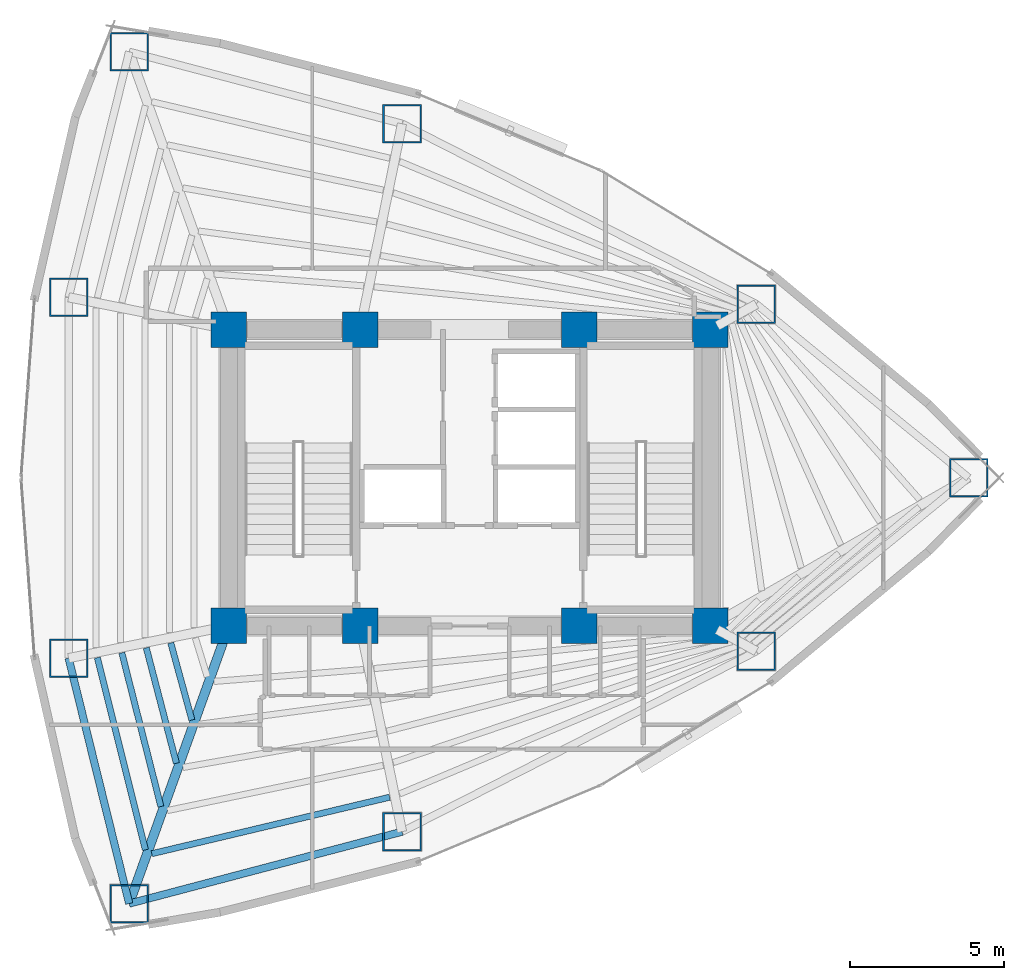
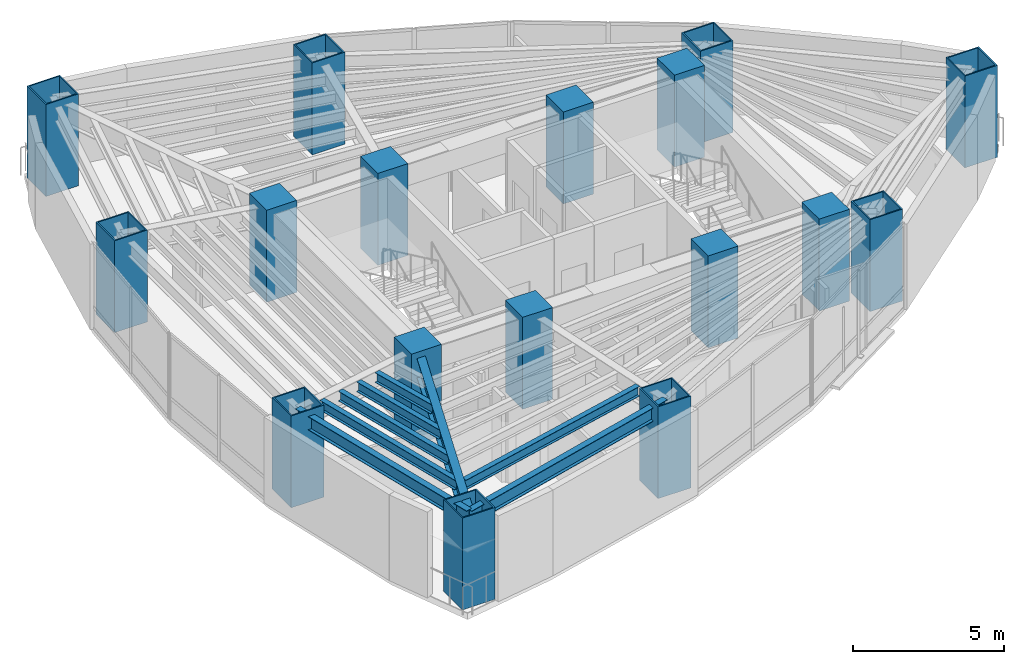
# One storey, part 1 of 18: 17 columns, 8 beams.
"""IFC4 building model written with IfcOpenShell, lengths in metres."""

from ifc_helpers import new_model, si_unit, direction, frame, origin, origin_2d, place, context, subcontext, project, spatial, rectangle, hollow_rectangle, i_section, extrude, material, material_profile, profile_set, type_object, element, save


model = new_model("IFC4")

# Units and contexts
model_context = context("Model", 3, precision=1e-05, world=origin(), true_north=direction((0.0, 1.0)))
body_context = subcontext(model_context, "Body", "Model", "MODEL_VIEW")
ifc_project = project(units=[si_unit("LENGTHUNIT", "METRE"), si_unit("AREAUNIT", "SQUARE_METRE"), si_unit("VOLUMEUNIT", "CUBIC_METRE"), si_unit("PLANEANGLEUNIT", "RADIAN"), si_unit("MASSUNIT", "GRAM", prefix="KILO")], contexts=[model_context])

# Site, building, storey
site_placement = place(None, origin())
site = spatial("IfcSite", under=ifc_project, at=site_placement, CompositionType="ELEMENT")
building_placement = place(site_placement, origin())
building = spatial("IfcBuilding", under=site, at=building_placement, Name="Menara Vayukalpa", CompositionType="ELEMENT")
storey_placement = place(building_placement, frame((0.0, 0.0, 130.02001953125)))
storey = spatial("IfcBuildingStorey", under=building, at=storey_placement, Name="L32", CompositionType="ELEMENT", Elevation=130.02001953125)

# Columns
ifc_material_1 = material(Name="Concrete C80/95", Category="concrete")
ifc_material_profile_1 = material_profile(ifc_material_1, rectangle(XDim=1.14990234375, YDim=1.14990234375, at=origin_2d()), Name="RC 1150x1150")
ifc_profile_set_1 = profile_set([ifc_material_profile_1], Name="Concrete C80/95")
column_type_1 = type_object("IfcColumnType", Name="COL-CC1", PredefinedType="COLUMN", material=ifc_profile_set_1)
for number, where, z_axis, x_axis, name in (
    (1, (17.800048828125, 17.199951171875, 0.0), (0.0, 0.0, 1.0), (1.0, 0.0, 0.0), "L32 Core Pilaster Column CC1"),
    (2, (22.050048828125, 17.199951171875, 0.0), (0.0, 0.0, 1.0), (1.0, 0.0, 0.0), "L32 Core Pilaster Column CC2"),
    (3, (29.14990234375, 17.199951171875, 0.0), (0.0, 0.0, 1.0), (1.0, 0.0, 0.0), "L32 Core Pilaster Column CC3"),
    (4, (33.39990234375, 17.199951171875, 0.0), (0.0, 0.0, 1.0), (1.0, 0.0, 0.0), "L32 Core Pilaster Column CC4"),
    (5, (17.800048828125, 26.800048828125, 0.0), (0.0, 0.0, 1.0), (1.0, 0.0, 0.0), "L32 Core Pilaster Column CC5"),
    (6, (22.050048828125, 26.800048828125, 0.0), (0.0, 0.0, 1.0), (1.0, 0.0, 0.0), "L32 Core Pilaster Column CC6"),
    (7, (29.14990234375, 26.800048828125, 0.0), (0.0, 0.0, 1.0), (1.0, 0.0, 0.0), "L32 Core Pilaster Column CC7"),
    (8, (33.39990234375, 26.800048828125, 0.0), (0.0, 0.0, 1.0), (1.0, 0.0, 0.0), "L32 Core Pilaster Column CC8"),
):
    element("IfcColumn", number, at=place(storey_placement, frame(where, z_axis=z_axis, x_axis=x_axis)), inside=storey, type_object=column_type_1, Name=name, PredefinedType="COLUMN", context=body_context, shape_type="SweptSolid", body=[
        extrude(rectangle(XDim=1.14990234375, YDim=1.14990234375, at=origin_2d()), origin(), (0.0, 0.0, 1.0), 3.719970703125),
    ])
ifc_material_2 = material(Name="Steel S460", Category="steel")
ifc_material_profile_2 = material_profile(ifc_material_2, hollow_rectangle(XDim=1.25, YDim=1.25, WallThickness=0.050048828125, at=origin_2d()), Name="BOX 1250x1250x50")
ifc_profile_set_2 = profile_set([ifc_material_profile_2], Name="Steel S460")
column_type_2 = type_object("IfcColumnType", Name="COL-MC2", PredefinedType="COLUMN", material=ifc_profile_set_2)
for number, where, z_axis, x_axis, name in (
    (9, (41.761962890625, 22.0, 0.0), (0.0, 0.0, 1.0), (1.0, 0.0, 0.0), "L32 Perimeter Mega Column P01"),
    (10, (34.88671875, 27.62158203125, 0.0), (0.0, 0.0, 1.0), (1.0, 0.0, 0.0), "L32 Perimeter Mega Column P02"),
    (11, (23.408203125, 33.46728515625, 0.0), (0.0, 0.0, 1.0), (1.0, 0.0, 0.0), "L32 Perimeter Mega Column P03"),
    (12, (14.569091796875, 35.79736328125, 0.0), (0.0, 0.0, 1.0), (1.0, 0.0, 0.0), "L32 Perimeter Mega Column P04"),
    (13, (12.606689453125, 27.845703125, 0.0), (0.0, 0.0, 1.0), (1.0, 0.0, 0.0), "L32 Perimeter Mega Column P05"),
    (14, (12.606689453125, 16.154296875, 0.0), (0.0, 0.0, 1.0), (1.0, 0.0, 0.0), "L32 Perimeter Mega Column P06"),
    (15, (14.569091796875, 8.20263671875, 0.0), (0.0, 0.0, 1.0), (1.0, 0.0, 0.0), "L32 Perimeter Mega Column P07"),
    (16, (23.408203125, 10.53271484375, 0.0), (0.0, 0.0, 1.0), (1.0, 0.0, 0.0), "L32 Perimeter Mega Column P08"),
    (17, (34.88671875, 16.37841796875, 0.0), (0.0, 0.0, 1.0), (1.0, 0.0, 0.0), "L32 Perimeter Mega Column P09"),
):
    element("IfcColumn", number, at=place(storey_placement, frame(where, z_axis=z_axis, x_axis=x_axis)), inside=storey, type_object=column_type_2, Name=name, PredefinedType="COLUMN", context=body_context, shape_type="SweptSolid", body=[
        extrude(hollow_rectangle(XDim=1.25, YDim=1.25, WallThickness=0.050048828125, at=origin_2d()), origin(), (0.0, 0.0, 1.0), 3.719970703125),
    ])

# Beams
ifc_material_3 = material(Name="Steel S355", Category="steel")
ifc_material_profile_3 = material_profile(ifc_material_3, i_section(OverallWidth=0.300048828125, OverallDepth=0.800048828125, WebThickness=0.013916015625, FlangeThickness=0.02587890625, at=origin_2d()), Name="WF 800x300x14x26")
ifc_profile_set_3 = profile_set([ifc_material_profile_3], Name="Steel S355")
beam_type_1 = type_object("IfcBeamType", Name="BM-PG3", PredefinedType="BEAM", material=ifc_profile_set_3)
beam_1_placement = place(storey_placement, frame((17.715576171875, 16.964599609375, 3.070068359375), z_axis=(-0.337975542909, -0.941154892882, 0.0), x_axis=(0.941154892882, -0.337975542909, 0.0)))
element("IfcBeam", 18, at=beam_1_placement, inside=storey, type_object=beam_type_1, Name="L32 Primary Radial Girder RG07", PredefinedType="BEAM", context=body_context, shape_type="SweptSolid", body=[
    extrude(i_section(OverallWidth=0.300048828125, OverallDepth=0.800048828125, WebThickness=0.013916015625, FlangeThickness=0.02587890625, at=origin_2d()), origin(), (0.0, 0.0, 1.0), 9.309814453125),
])
ifc_material_4 = material(Name="Steel S355", Category="steel")
ifc_material_profile_4 = material_profile(ifc_material_4, i_section(OverallWidth=0.199951171875, OverallDepth=0.39990234375, WebThickness=0.008056640625, FlangeThickness=0.012939453125, at=origin_2d()), Name="WF 400x200x8x13")
ifc_profile_set_4 = profile_set([ifc_material_profile_4], Name="Steel S355")
beam_type_2 = type_object("IfcBeamType", Name="BM-SJ2", PredefinedType="JOIST", material=ifc_profile_set_4)
beam_2_placement = place(storey_placement, frame((15.917236328125, 16.64794921875, 3.27001953125), z_axis=(0.263922858843, -0.964543790908, 0.0), x_axis=(0.964543790908, 0.263922858843, 0.0)))
element("IfcBeam", 19, at=beam_2_placement, inside=storey, type_object=beam_type_2, Name="L32 Secondary Floor Joist SJ06-2", PredefinedType="JOIST", context=body_context, shape_type="SweptSolid", body=[
    extrude(i_section(OverallWidth=0.199951171875, OverallDepth=0.39990234375, WebThickness=0.008056640625, FlangeThickness=0.012939453125, at=origin_2d()), origin(), (0.0, 0.0, 1.0), 2.590087890625),
])
beam_3_placement = place(storey_placement, frame((15.123779296875, 16.488037109375, 3.27001953125), z_axis=(0.252406469257, -0.967621296933, 0.0), x_axis=(0.967621296933, 0.252406469257, 0.0)))
element("IfcBeam", 20, at=beam_3_placement, inside=storey, type_object=beam_type_2, Name="L32 Secondary Floor Joist SJ06-3", PredefinedType="JOIST", context=body_context, shape_type="SweptSolid", body=[
    extrude(i_section(OverallWidth=0.199951171875, OverallDepth=0.39990234375, WebThickness=0.008056640625, FlangeThickness=0.012939453125, at=origin_2d()), origin(), (0.0, 0.0, 1.0), 3.865234375),
])
beam_4_placement = place(storey_placement, frame((14.330810546875, 16.328369140625, 3.27001953125), z_axis=(0.246311066692, -0.969190826631, 0.0), x_axis=(0.969190826631, 0.246311066692, 0.0)))
element("IfcBeam", 21, at=beam_4_placement, inside=storey, type_object=beam_type_2, Name="L32 Secondary Floor Joist SJ06-4", PredefinedType="JOIST", context=body_context, shape_type="SweptSolid", body=[
    extrude(i_section(OverallWidth=0.199951171875, OverallDepth=0.39990234375, WebThickness=0.008056640625, FlangeThickness=0.012939453125, at=origin_2d()), origin(), (0.0, 0.0, 1.0), 5.140380859375),
])
beam_5_placement = place(storey_placement, frame((13.53857421875, 16.168701171875, 3.27001953125), z_axis=(0.242481900969, -0.970155929582, 0.0), x_axis=(0.970155929582, 0.242481900969, 0.0)))
element("IfcBeam", 22, at=beam_5_placement, inside=storey, type_object=beam_type_2, Name="L32 Secondary Floor Joist SJ06-5", PredefinedType="JOIST", context=body_context, shape_type="SweptSolid", body=[
    extrude(i_section(OverallWidth=0.199951171875, OverallDepth=0.39990234375, WebThickness=0.008056640625, FlangeThickness=0.012939453125, at=origin_2d()), origin(), (0.0, 0.0, 1.0), 6.41552734375),
])
beam_6_placement = place(storey_placement, frame((15.30078125, 9.819091796875, 3.27001953125), z_axis=(0.97293603101, 0.231074619036, 0.0), x_axis=(-0.231074619036, 0.97293603101, 0.0)))
element("IfcBeam", 23, at=beam_6_placement, inside=storey, type_object=beam_type_2, Name="L32 Secondary Floor Joist SJ07-5", PredefinedType="JOIST", context=body_context, shape_type="SweptSolid", body=[
    extrude(i_section(OverallWidth=0.199951171875, OverallDepth=0.39990234375, WebThickness=0.008056640625, FlangeThickness=0.012939453125, at=origin_2d()), origin(), (0.0, 0.0, 1.0), 7.9208984375),
])
ifc_material_5 = material(Name="Steel S355", Category="steel")
ifc_material_profile_5 = material_profile(ifc_material_5, i_section(OverallWidth=0.239990234375, OverallDepth=0.550048828125, WebThickness=0.010986328125, FlangeThickness=0.01904296875, at=origin_2d()), Name="WF 550x240x11x19")
ifc_profile_set_5 = profile_set([ifc_material_profile_5], Name="Steel S355")
beam_type_3 = type_object("IfcBeamType", Name="BM-SP2", PredefinedType="SPANDREL", material=ifc_profile_set_5)
beam_7_placement = place(storey_placement, frame((12.606689453125, 16.154296875, 3.195068359375), z_axis=(0.239602739234, -0.970871014786, 0.0), x_axis=(0.970871014786, 0.239602739234, 0.0)))
element("IfcBeam", 24, at=beam_7_placement, inside=storey, type_object=beam_type_3, Name="L32 Perimeter Spandrel Beam SP06", PredefinedType="SPANDREL", context=body_context, shape_type="SweptSolid", body=[
    extrude(i_section(OverallWidth=0.239990234375, OverallDepth=0.550048828125, WebThickness=0.010986328125, FlangeThickness=0.01904296875, at=origin_2d()), origin(), (0.0, 0.0, 1.0), 8.190185546875),
])
beam_8_placement = place(storey_placement, frame((14.569091796875, 8.20263671875, 3.195068359375), z_axis=(0.966966857313, 0.254902131921, 0.0), x_axis=(-0.254902131921, 0.966966857313, 0.0)))
element("IfcBeam", 25, at=beam_8_placement, inside=storey, type_object=beam_type_3, Name="L32 Perimeter Spandrel Beam SP07", PredefinedType="SPANDREL", context=body_context, shape_type="SweptSolid", body=[
    extrude(i_section(OverallWidth=0.239990234375, OverallDepth=0.550048828125, WebThickness=0.010986328125, FlangeThickness=0.01904296875, at=origin_2d()), origin(), (0.0, 0.0, 1.0), 9.14111328125),
])

save(model, "model.ifc")
